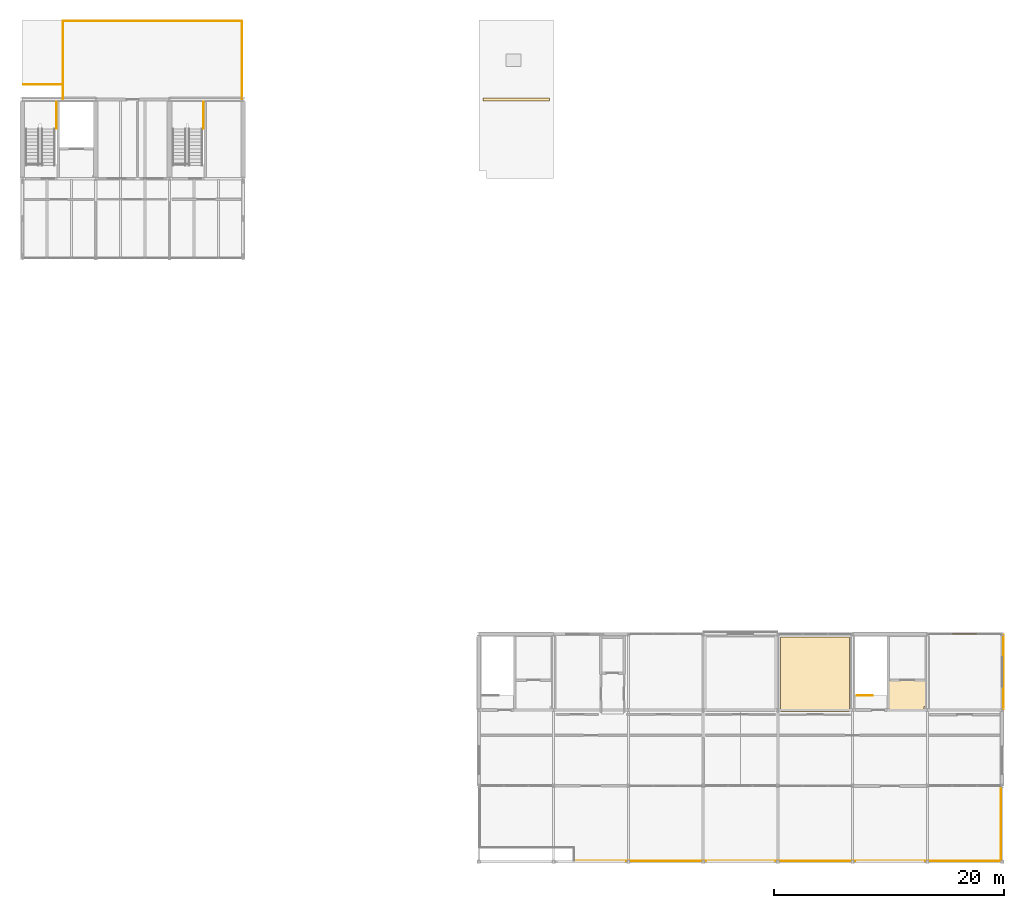
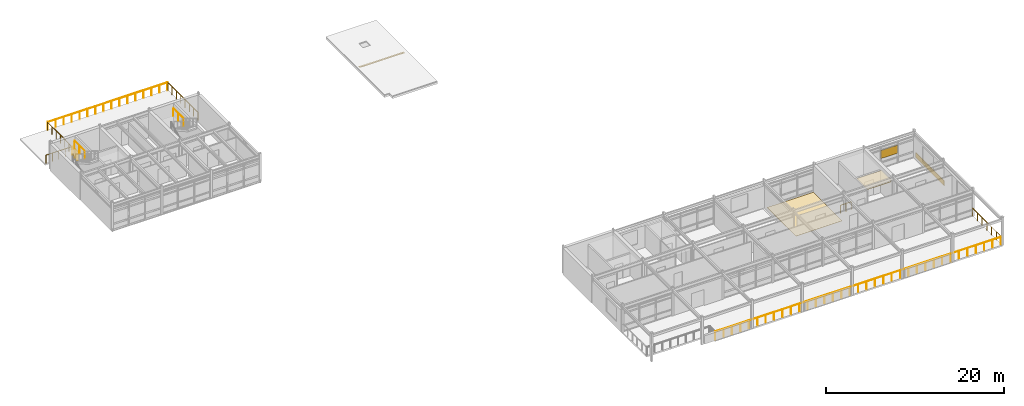
# One storey, part 20 of 20: 10 railings, 4 coverings, 1 shading device.
"""IFC4 building model written with IfcOpenShell, lengths in metres."""

from ifc_helpers import new_model, si_unit, direction, frame, origin, origin_2d, place, context, subcontext, project, spatial, polyline, rectangle, circle, outline, extrude, material, layer, layer_set, type_object, element, save


model = new_model("IFC4")

# Units and contexts
model_context = context("Model", 3, precision=1e-05, world=origin(), true_north=direction((0.0, 1.0)))
body_context = subcontext(model_context, "Body", "Model", "MODEL_VIEW")
ifc_project = project(units=[si_unit("LENGTHUNIT", "METRE"), si_unit("AREAUNIT", "SQUARE_METRE"), si_unit("VOLUMEUNIT", "CUBIC_METRE"), si_unit("PLANEANGLEUNIT", "RADIAN"), si_unit("MASSUNIT", "GRAM", prefix="KILO")], contexts=[model_context])

# Site, building, storey
site_placement = place(None, origin())
site = spatial("IfcSite", under=ifc_project, at=site_placement, CompositionType="ELEMENT")
building_placement = place(site_placement, origin())
building = spatial("IfcBuilding", under=site, at=building_placement, Name="Trelmorton Wharf Fire Station", CompositionType="ELEMENT")
storey_placement = place(building_placement, frame((0.0, 0.0, 21.300048828125)))
storey = spatial("IfcBuildingStorey", under=building, at=storey_placement, Name="L05", CompositionType="ELEMENT", Elevation=21.300048828125)

# Coverings
ifc_material_1 = material(Name="Mineral fibre acoustic ceiling")
ifc_layer_1 = layer(ifc_material_1, 0.02001953125)
ifc_layer_set_1 = layer_set([ifc_layer_1], Name="Mineral fibre acoustic ceiling")
covering_type_1 = type_object("IfcCoveringType", Name="CV_CEIL_ACOU", PredefinedType="CEILING", material=ifc_layer_set_1)
covering_1_placement = place(storey_placement, frame((0.0, 0.0, 2.97998046875)))
element("IfcCovering", 1, at=covering_1_placement, inside=storey, type_object=covering_type_1, Name="CV-CLG-028", PredefinedType="CEILING", context=body_context, shape_type="SweptSolid", body=[
    extrude(outline(polyline([(146.159912109375, 21.0400390625), (146.159912109375, 23.56005859375), (149.4599609375, 23.56005859375), (149.4599609375, 21.300048828125), (149.199951171875, 21.300048828125), (149.199951171875, 21.0400390625), (146.159912109375, 21.0400390625)])), origin(), (0.0, 0.0, 1.0), 0.02001953125),
])
ifc_material_2 = material(Name="Architectural terracotta cladding", Category="masonry")
ifc_layer_2 = layer(ifc_material_2, 0.044921875)
ifc_layer_set_2 = layer_set([ifc_layer_2], Name="Architectural terracotta cladding")
covering_type_2 = type_object("IfcCoveringType", Name="CV_CLAD_TER", PredefinedType="CLADDING", material=ifc_layer_set_2)
covering_2_placement = place(storey_placement, frame((156.135009765625, 24.300048828125, 0.02978515625), z_axis=(0.0, 0.0, 1.0), x_axis=(0.0, -1.0, 0.0)))
element("IfcCovering", 2, at=covering_2_placement, inside=storey, type_object=covering_type_2, Name="CV-TER-0020", PredefinedType="CLADDING", context=body_context, shape_type="SweptSolid", body=[
    extrude(rectangle(XDim=6.469970703125, YDim=0.044921875, at=origin_2d()), origin(), (0.0, 0.0, 1.0), 0.659912109375),
])
ifc_material_3 = material(Name="Quarry tile wet-area flooring")
ifc_layer_3 = layer(ifc_material_3, 0.02001953125)
ifc_layer_set_3 = layer_set([ifc_layer_3], Name="Quarry tile wet-area flooring")
covering_type_3 = type_object("IfcCoveringType", Name="CV_FLOR_TILE", PredefinedType="FLOORING", material=ifc_layer_set_3)
covering_3_placement = place(storey_placement, origin())
element("IfcCovering", 3, at=covering_3_placement, inside=storey, type_object=covering_type_3, Name="CV-FLR-019", PredefinedType="FLOORING", context=body_context, shape_type="SweptSolid", body=[
    extrude(outline(polyline([(142.75, 20.85009765625), (142.75, 27.35009765625), (136.75, 27.35009765625), (136.75, 20.85009765625), (142.75, 20.85009765625)])), origin(), (0.0, 0.0, 1.0), 0.02001953125),
])
ifc_material_4 = material(Name="Colorsteel standing-seam roofing", Category="steel")
ifc_layer_4 = layer(ifc_material_4, 0.02490234375)
ifc_layer_set_4 = layer_set([ifc_layer_4], Name="Colorsteel standing-seam roofing")
covering_type_4 = type_object("IfcCoveringType", Name="CV_ROOF_MEM", PredefinedType="ROOFING", material=ifc_layer_set_4)
covering_4_placement = place(storey_placement, frame((113.75, 74.10009765625, -0.00439453125), z_axis=(0.0, 0.0, 1.0), x_axis=(1.0, 0.0, 0.0)))
element("IfcCovering", 4, at=covering_4_placement, inside=storey, type_object=covering_type_4, Name="CV-RF-HH-1", PredefinedType="ROOFING", context=body_context, shape_type="SweptSolid", body=[
    extrude(rectangle(XDim=5.800048828125, YDim=0.25, at=origin_2d()), origin(), (0.0, 0.0, 1.0), 0.02490234375),
])

# Railings
ifc_material_5 = material(Name="Signal-red architectural steel Grade 350", Category="steel")
railing_type_1 = type_object("IfcRailingType", Name="RL_BAL_RED", PredefinedType="BALUSTRADE", material=ifc_material_5)
railing_1_placement = place(storey_placement, frame((118.800048828125, 7.8798828125, 0.0)))
element("IfcRailing", 5, at=railing_1_placement, inside=storey, type_object=railing_type_1, Name="RL-DECK-L05-039", PredefinedType="BALUSTRADE", context=body_context, shape_type="SweptSolid", body=[
    extrude(circle(Radius=0.02392578125, at=origin_2d()), frame((0.0, 0.0, 1.09619140625), z_axis=(1.0, 0.0, 0.0), x_axis=(0.0, 1.0, 0.0)), (0.0, 0.0, 1.0), 37.079833984375),
    extrude(circle(Radius=0.02099609375, at=origin_2d()), origin(), (0.0, 0.0, 1.0), 1.072021484375),
    extrude(circle(Radius=0.02099609375, at=origin_2d()), frame((1.090576171875, 0.0, 0.0)), (0.0, 0.0, 1.0), 1.072021484375),
    extrude(circle(Radius=0.02099609375, at=origin_2d()), frame((2.18115234375, 0.0, 0.0)), (0.0, 0.0, 1.0), 1.072021484375),
    extrude(circle(Radius=0.02099609375, at=origin_2d()), frame((3.271728515625, 0.0, 0.0)), (0.0, 0.0, 1.0), 1.072021484375),
    extrude(circle(Radius=0.02099609375, at=origin_2d()), frame((4.3623046875, 0.0, 0.0)), (0.0, 0.0, 1.0), 1.072021484375),
    extrude(circle(Radius=0.02099609375, at=origin_2d()), frame((5.452880859375, 0.0, 0.0)), (0.0, 0.0, 1.0), 1.072021484375),
    extrude(circle(Radius=0.02099609375, at=origin_2d()), frame((6.54345703125, 0.0, 0.0)), (0.0, 0.0, 1.0), 1.072021484375),
    extrude(circle(Radius=0.02099609375, at=origin_2d()), frame((7.634033203125, 0.0, 0.0)), (0.0, 0.0, 1.0), 1.072021484375),
    extrude(circle(Radius=0.02099609375, at=origin_2d()), frame((8.724609375, 0.0, 0.0)), (0.0, 0.0, 1.0), 1.072021484375),
    extrude(circle(Radius=0.02099609375, at=origin_2d()), frame((9.815185546875, 0.0, 0.0)), (0.0, 0.0, 1.0), 1.072021484375),
    extrude(circle(Radius=0.02099609375, at=origin_2d()), frame((10.90576171875, 0.0, 0.0)), (0.0, 0.0, 1.0), 1.072021484375),
    extrude(circle(Radius=0.02099609375, at=origin_2d()), frame((11.996337890625, 0.0, 0.0)), (0.0, 0.0, 1.0), 1.072021484375),
    extrude(circle(Radius=0.02099609375, at=origin_2d()), frame((13.0869140625, 0.0, 0.0)), (0.0, 0.0, 1.0), 1.072021484375),
    extrude(circle(Radius=0.02099609375, at=origin_2d()), frame((14.177490234375, 0.0, 0.0)), (0.0, 0.0, 1.0), 1.072021484375),
    extrude(circle(Radius=0.02099609375, at=origin_2d()), frame((15.26806640625, 0.0, 0.0)), (0.0, 0.0, 1.0), 1.072021484375),
    extrude(circle(Radius=0.02099609375, at=origin_2d()), frame((16.358642578125, 0.0, 0.0)), (0.0, 0.0, 1.0), 1.072021484375),
    extrude(circle(Radius=0.02099609375, at=origin_2d()), frame((17.44921875, 0.0, 0.0)), (0.0, 0.0, 1.0), 1.072021484375),
    extrude(circle(Radius=0.02099609375, at=origin_2d()), frame((18.5400390625, 0.0, 0.0)), (0.0, 0.0, 1.0), 1.072021484375),
    extrude(circle(Radius=0.02099609375, at=origin_2d()), frame((19.630615234375, 0.0, 0.0)), (0.0, 0.0, 1.0), 1.072021484375),
    extrude(circle(Radius=0.02099609375, at=origin_2d()), frame((20.72119140625, 0.0, 0.0)), (0.0, 0.0, 1.0), 1.072021484375),
    extrude(circle(Radius=0.02099609375, at=origin_2d()), frame((21.811767578125, 0.0, 0.0)), (0.0, 0.0, 1.0), 1.072021484375),
    extrude(circle(Radius=0.02099609375, at=origin_2d()), frame((22.90234375, 0.0, 0.0)), (0.0, 0.0, 1.0), 1.072021484375),
    extrude(circle(Radius=0.02099609375, at=origin_2d()), frame((23.992919921875, 0.0, 0.0)), (0.0, 0.0, 1.0), 1.072021484375),
    extrude(circle(Radius=0.02099609375, at=origin_2d()), frame((25.08349609375, 0.0, 0.0)), (0.0, 0.0, 1.0), 1.072021484375),
    extrude(circle(Radius=0.02099609375, at=origin_2d()), frame((26.174072265625, 0.0, 0.0)), (0.0, 0.0, 1.0), 1.072021484375),
    extrude(circle(Radius=0.02099609375, at=origin_2d()), frame((27.2646484375, 0.0, 0.0)), (0.0, 0.0, 1.0), 1.072021484375),
    extrude(circle(Radius=0.02099609375, at=origin_2d()), frame((28.355224609375, 0.0, 0.0)), (0.0, 0.0, 1.0), 1.072021484375),
    extrude(circle(Radius=0.02099609375, at=origin_2d()), frame((29.44580078125, 0.0, 0.0)), (0.0, 0.0, 1.0), 1.072021484375),
    extrude(circle(Radius=0.02099609375, at=origin_2d()), frame((30.536376953125, 0.0, 0.0)), (0.0, 0.0, 1.0), 1.072021484375),
    extrude(circle(Radius=0.02099609375, at=origin_2d()), frame((31.626953125, 0.0, 0.0)), (0.0, 0.0, 1.0), 1.072021484375),
    extrude(circle(Radius=0.02099609375, at=origin_2d()), frame((32.717529296875, 0.0, 0.0)), (0.0, 0.0, 1.0), 1.072021484375),
    extrude(circle(Radius=0.02099609375, at=origin_2d()), frame((33.80810546875, 0.0, 0.0)), (0.0, 0.0, 1.0), 1.072021484375),
    extrude(circle(Radius=0.02099609375, at=origin_2d()), frame((34.898681640625, 0.0, 0.0)), (0.0, 0.0, 1.0), 1.072021484375),
    extrude(circle(Radius=0.02099609375, at=origin_2d()), frame((35.9892578125, 0.0, 0.0)), (0.0, 0.0, 1.0), 1.072021484375),
    extrude(circle(Radius=0.02099609375, at=origin_2d()), frame((37.079833984375, 0.0, 0.0)), (0.0, 0.0, 1.0), 1.072021484375),
])
railing_2_placement = place(storey_placement, frame((155.919921875, 7.919921875, 0.0)))
element("IfcRailing", 6, at=railing_2_placement, inside=storey, type_object=railing_type_1, Name="RL-DECK-L05-040", PredefinedType="BALUSTRADE", context=body_context, shape_type="SweptSolid", body=[
    extrude(circle(Radius=0.02392578125, at=origin_2d()), frame((0.0, 0.0, 1.09619140625), z_axis=(0.0, 1.0, 0.0), x_axis=(-1.0, 0.0, 0.0)), (0.0, 0.0, 1.0), 6.440185546875),
    extrude(circle(Radius=0.02099609375, at=origin_2d()), origin(), (0.0, 0.0, 1.0), 1.072021484375),
    extrude(circle(Radius=0.02099609375, at=origin_2d()), frame((0.0, 1.0732421875, 0.0)), (0.0, 0.0, 1.0), 1.072021484375),
    extrude(circle(Radius=0.02099609375, at=origin_2d()), frame((0.0, 2.146728515625, 0.0)), (0.0, 0.0, 1.0), 1.072021484375),
    extrude(circle(Radius=0.02099609375, at=origin_2d()), frame((0.0, 3.22021484375, 0.0)), (0.0, 0.0, 1.0), 1.072021484375),
    extrude(circle(Radius=0.02099609375, at=origin_2d()), frame((0.0, 4.29345703125, 0.0)), (0.0, 0.0, 1.0), 1.072021484375),
    extrude(circle(Radius=0.02099609375, at=origin_2d()), frame((0.0, 5.36669921875, 0.0)), (0.0, 0.0, 1.0), 1.072021484375),
    extrude(circle(Radius=0.02099609375, at=origin_2d()), frame((0.0, 6.440185546875, 0.0)), (0.0, 0.0, 1.0), 1.072021484375),
])
ifc_material_6 = material(Name="Stainless steel 316 marine grade", Category="steel")
railing_type_2 = type_object("IfcRailingType", Name="RL_BAL_TERR", PredefinedType="BALUSTRADE", material=ifc_material_6)
railing_3_placement = place(storey_placement, frame((70.919921875, 75.39990234375, 0.0)))
element("IfcRailing", 7, at=railing_3_placement, inside=storey, type_object=railing_type_2, Name="RL-DECK-L05-072", PredefinedType="BALUSTRADE", context=body_context, shape_type="SweptSolid", body=[
    extrude(circle(Radius=0.02392578125, at=origin_2d()), frame((0.0, 0.0, 1.09619140625), z_axis=(1.0, 0.0, 0.0), x_axis=(0.0, 1.0, 0.0)), (0.0, 0.0, 1.0), 3.360107421875),
    extrude(circle(Radius=0.02099609375, at=origin_2d()), origin(), (0.0, 0.0, 1.0), 1.072021484375),
    extrude(circle(Radius=0.02099609375, at=origin_2d()), frame((0.840087890625, 0.0, 0.0)), (0.0, 0.0, 1.0), 1.072021484375),
    extrude(circle(Radius=0.02099609375, at=origin_2d()), frame((1.68017578125, 0.0, 0.0)), (0.0, 0.0, 1.0), 1.072021484375),
    extrude(circle(Radius=0.02099609375, at=origin_2d()), frame((2.52001953125, 0.0, 0.0)), (0.0, 0.0, 1.0), 1.072021484375),
    extrude(circle(Radius=0.02099609375, at=origin_2d()), frame((3.360107421875, 0.0, 0.0)), (0.0, 0.0, 1.0), 1.072021484375),
])
railing_4_placement = place(storey_placement, frame((74.320068359375, 75.360107421875, 0.0)))
element("IfcRailing", 8, at=railing_4_placement, inside=storey, type_object=railing_type_2, Name="RL-DECK-L05-073", PredefinedType="BALUSTRADE", context=body_context, shape_type="SweptSolid", body=[
    extrude(circle(Radius=0.02392578125, at=origin_2d()), frame((0.0, 0.0, 1.09619140625), z_axis=(0.0, -1.0, 0.0), x_axis=(1.0, 0.0, 0.0)), (0.0, 0.0, 1.0), 1.22021484375),
    extrude(circle(Radius=0.02099609375, at=origin_2d()), origin(), (0.0, 0.0, 1.0), 1.072021484375),
    extrude(circle(Radius=0.02099609375, at=origin_2d()), frame((0.0, -0.610107421875, 0.0)), (0.0, 0.0, 1.0), 1.072021484375),
    extrude(circle(Radius=0.02099609375, at=origin_2d()), frame((0.0, -1.22021484375, 0.0)), (0.0, 0.0, 1.0), 1.072021484375),
])
railing_5_placement = place(storey_placement, frame((74.320068359375, 74.139892578125, 0.0)))
element("IfcRailing", 9, at=railing_5_placement, inside=storey, type_object=railing_type_2, Name="RL-DECK-L05-074", PredefinedType="BALUSTRADE", context=body_context, shape_type="SweptSolid", body=[
    extrude(circle(Radius=0.02392578125, at=origin_2d()), frame((0.0, 0.0, 1.09619140625), z_axis=(0.0, 1.0, 0.0), x_axis=(-1.0, 0.0, 0.0)), (0.0, 0.0, 1.0), 6.739990234375),
    extrude(circle(Radius=0.02099609375, at=origin_2d()), origin(), (0.0, 0.0, 1.0), 1.072021484375),
    extrude(circle(Radius=0.02099609375, at=origin_2d()), frame((0.0, 0.962890625, 0.0)), (0.0, 0.0, 1.0), 1.072021484375),
    extrude(circle(Radius=0.02099609375, at=origin_2d()), frame((0.0, 1.92578125, 0.0)), (0.0, 0.0, 1.0), 1.072021484375),
    extrude(circle(Radius=0.02099609375, at=origin_2d()), frame((0.0, 2.888671875, 0.0)), (0.0, 0.0, 1.0), 1.072021484375),
    extrude(circle(Radius=0.02099609375, at=origin_2d()), frame((0.0, 3.851318359375, 0.0)), (0.0, 0.0, 1.0), 1.072021484375),
    extrude(circle(Radius=0.02099609375, at=origin_2d()), frame((0.0, 4.814208984375, 0.0)), (0.0, 0.0, 1.0), 1.072021484375),
    extrude(circle(Radius=0.02099609375, at=origin_2d()), frame((0.0, 5.777099609375, 0.0)), (0.0, 0.0, 1.0), 1.072021484375),
    extrude(circle(Radius=0.02099609375, at=origin_2d()), frame((0.0, 6.739990234375, 0.0)), (0.0, 0.0, 1.0), 1.072021484375),
])
railing_6_placement = place(storey_placement, frame((74.360107421875, 80.919921875, 0.0)))
element("IfcRailing", 10, at=railing_6_placement, inside=storey, type_object=railing_type_2, Name="RL-DECK-L05-075", PredefinedType="BALUSTRADE", context=body_context, shape_type="SweptSolid", body=[
    extrude(circle(Radius=0.02392578125, at=origin_2d()), frame((0.0, 0.0, 1.09619140625), z_axis=(1.0, 0.0, 0.0), x_axis=(0.0, 1.0, 0.0)), (0.0, 0.0, 1.0), 15.519775390625),
    extrude(circle(Radius=0.02099609375, at=origin_2d()), origin(), (0.0, 0.0, 1.0), 1.072021484375),
    extrude(circle(Radius=0.02099609375, at=origin_2d()), frame((1.03466796875, 0.0, 0.0)), (0.0, 0.0, 1.0), 1.072021484375),
    extrude(circle(Radius=0.02099609375, at=origin_2d()), frame((2.0693359375, 0.0, 0.0)), (0.0, 0.0, 1.0), 1.072021484375),
    extrude(circle(Radius=0.02099609375, at=origin_2d()), frame((3.10400390625, 0.0, 0.0)), (0.0, 0.0, 1.0), 1.072021484375),
    extrude(circle(Radius=0.02099609375, at=origin_2d()), frame((4.138671875, 0.0, 0.0)), (0.0, 0.0, 1.0), 1.072021484375),
    extrude(circle(Radius=0.02099609375, at=origin_2d()), frame((5.17333984375, 0.0, 0.0)), (0.0, 0.0, 1.0), 1.072021484375),
    extrude(circle(Radius=0.02099609375, at=origin_2d()), frame((6.2080078125, 0.0, 0.0)), (0.0, 0.0, 1.0), 1.072021484375),
    extrude(circle(Radius=0.02099609375, at=origin_2d()), frame((7.24267578125, 0.0, 0.0)), (0.0, 0.0, 1.0), 1.072021484375),
    extrude(circle(Radius=0.02099609375, at=origin_2d()), frame((8.277099609375, 0.0, 0.0)), (0.0, 0.0, 1.0), 1.072021484375),
    extrude(circle(Radius=0.02099609375, at=origin_2d()), frame((9.311767578125, 0.0, 0.0)), (0.0, 0.0, 1.0), 1.072021484375),
    extrude(circle(Radius=0.02099609375, at=origin_2d()), frame((10.346435546875, 0.0, 0.0)), (0.0, 0.0, 1.0), 1.072021484375),
    extrude(circle(Radius=0.02099609375, at=origin_2d()), frame((11.381103515625, 0.0, 0.0)), (0.0, 0.0, 1.0), 1.072021484375),
    extrude(circle(Radius=0.02099609375, at=origin_2d()), frame((12.415771484375, 0.0, 0.0)), (0.0, 0.0, 1.0), 1.072021484375),
    extrude(circle(Radius=0.02099609375, at=origin_2d()), frame((13.450439453125, 0.0, 0.0)), (0.0, 0.0, 1.0), 1.072021484375),
    extrude(circle(Radius=0.02099609375, at=origin_2d()), frame((14.485107421875, 0.0, 0.0)), (0.0, 0.0, 1.0), 1.072021484375),
    extrude(circle(Radius=0.02099609375, at=origin_2d()), frame((15.519775390625, 0.0, 0.0)), (0.0, 0.0, 1.0), 1.072021484375),
])
railing_7_placement = place(storey_placement, frame((89.919921875, 80.8798828125, 0.0)))
element("IfcRailing", 11, at=railing_7_placement, inside=storey, type_object=railing_type_2, Name="RL-DECK-L05-076", PredefinedType="BALUSTRADE", context=body_context, shape_type="SweptSolid", body=[
    extrude(circle(Radius=0.02392578125, at=origin_2d()), frame((0.0, 0.0, 1.09619140625), z_axis=(0.0, -1.0, 0.0), x_axis=(1.0, 0.0, 0.0)), (0.0, 0.0, 1.0), 6.739990234375),
    extrude(circle(Radius=0.02099609375, at=origin_2d()), origin(), (0.0, 0.0, 1.0), 1.072021484375),
    extrude(circle(Radius=0.02099609375, at=origin_2d()), frame((0.0, -0.962890625, 0.0)), (0.0, 0.0, 1.0), 1.072021484375),
    extrude(circle(Radius=0.02099609375, at=origin_2d()), frame((0.0, -1.92578125, 0.0)), (0.0, 0.0, 1.0), 1.072021484375),
    extrude(circle(Radius=0.02099609375, at=origin_2d()), frame((0.0, -2.888671875, 0.0)), (0.0, 0.0, 1.0), 1.072021484375),
    extrude(circle(Radius=0.02099609375, at=origin_2d()), frame((0.0, -3.851318359375, 0.0)), (0.0, 0.0, 1.0), 1.072021484375),
    extrude(circle(Radius=0.02099609375, at=origin_2d()), frame((0.0, -4.814208984375, 0.0)), (0.0, 0.0, 1.0), 1.072021484375),
    extrude(circle(Radius=0.02099609375, at=origin_2d()), frame((0.0, -5.777099609375, 0.0)), (0.0, 0.0, 1.0), 1.072021484375),
    extrude(circle(Radius=0.02099609375, at=origin_2d()), frame((0.0, -6.739990234375, 0.0)), (0.0, 0.0, 1.0), 1.072021484375),
])
railing_type_3 = type_object("IfcRailingType", Name="RL_WELL_1100", PredefinedType="BALUSTRADE", material=ifc_material_6)
railing_8_placement = place(storey_placement, frame((143.360107421875, 22.260009765625, 0.0)))
element("IfcRailing", 12, at=railing_8_placement, inside=storey, type_object=railing_type_3, Name="RL-UPWELL-STR-C4-L04-17", PredefinedType="BALUSTRADE", context=body_context, shape_type="SweptSolid", body=[
    extrude(circle(Radius=0.02392578125, at=origin_2d()), frame((0.0, 0.0, 1.09619140625), z_axis=(1.0, 0.0, 0.0), x_axis=(0.0, 1.0, 0.0)), (0.0, 0.0, 1.0), 1.3798828125),
    extrude(circle(Radius=0.02099609375, at=origin_2d()), origin(), (0.0, 0.0, 1.0), 1.072021484375),
    extrude(circle(Radius=0.02099609375, at=origin_2d()), frame((0.68994140625, 0.0, 0.0)), (0.0, 0.0, 1.0), 1.072021484375),
    extrude(circle(Radius=0.02099609375, at=origin_2d()), frame((1.3798828125, 0.0, 0.0)), (0.0, 0.0, 1.0), 1.072021484375),
])
for number, where, name in (
    (13, (73.7548828125, 73.85498046875, 1.949951171875), "RL-GW-OUT1-STR-C6-L05-26"),
    (14, (86.554931640625, 73.85498046875, 1.949951171875), "RL-GW-OUT1-STR-C6B-L05-32"),
):
    element("IfcRailing", number, at=place(storey_placement, frame(where)), inside=storey, type_object=railing_type_3, Name=name, PredefinedType="BALUSTRADE", context=body_context, shape_type="SweptSolid", body=[
        extrude(circle(Radius=0.02392578125, at=origin_2d()), frame((0.0, 0.0, 1.09619140625), z_axis=(0.0, -1.0, 0.0), x_axis=(1.0, 0.0, 0.0)), (0.0, 0.0, 1.0), 2.284912109375),
        extrude(circle(Radius=0.02099609375, at=origin_2d()), origin(), (0.0, 0.0, 1.0), 1.072021484375),
        extrude(circle(Radius=0.02099609375, at=origin_2d()), frame((0.0, -1.142578125, 0.0)), (0.0, 0.0, 1.0), 1.072021484375),
        extrude(circle(Radius=0.02099609375, at=origin_2d()), frame((0.0, -2.284912109375, 0.0)), (0.0, 0.0, 1.0), 1.072021484375),
    ])

# Shading device
ifc_material_7 = material(Name="Anodised aluminium AW-6063", Category="aluminium")
ifc_layer_5 = layer(ifc_material_7, 0.090087890625)
ifc_layer_set_5 = layer_set([ifc_layer_5], Name="Anodised aluminium AW-6063")
shading_device_type = type_object("IfcShadingDeviceType", Name="SH_JALOUSIE", PredefinedType="JALOUSIE", material=ifc_layer_set_5)
shading_device_placement = place(storey_placement, frame((152.75, 27.6298828125, 1.349853515625), z_axis=(0.0, 0.0, 1.0), x_axis=(1.0, 0.0, 0.0)))
element("IfcShadingDevice", 15, at=shading_device_placement, inside=storey, type_object=shading_device_type, Name="SH-JL-026", PredefinedType="JALOUSIE", context=body_context, shape_type="SweptSolid", body=[
    extrude(rectangle(XDim=2.199951171875, YDim=0.090087890625, at=origin_2d()), origin(), (0.0, 0.0, 1.0), 1.10009765625),
])

save(model, "model.ifc")
